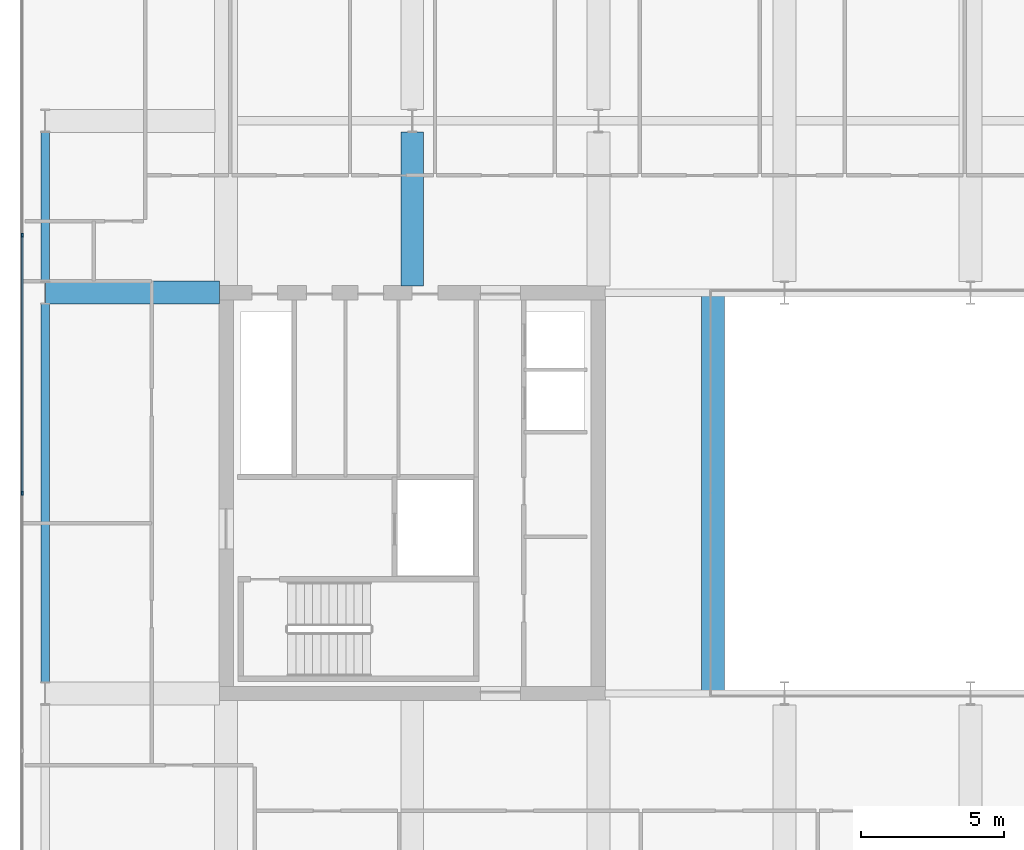
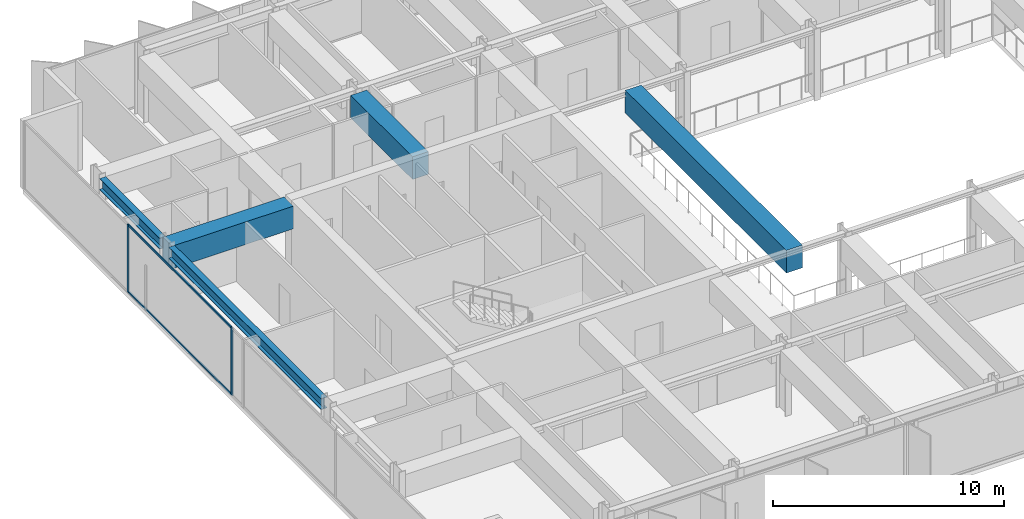
# One storey, part 5 of 24: 5 beams, 4 members, 1 element without a shape of its own.
"""IFC4 building model written with IfcOpenShell, lengths in metres."""

from ifc_helpers import new_model, si_unit, direction, frame, origin, origin_2d, place, context, subcontext, project, spatial, rectangle, i_section, extrude, material, layer, layer_set, material_profile, profile_set, type_object, element, aggregate, save


model = new_model("IFC4")

# Units and contexts
model_context = context("Model", 3, precision=1e-05, world=origin(), true_north=direction((0.0, 1.0)))
body_context = subcontext(model_context, "Body", "Model", "MODEL_VIEW")
ifc_project = project(units=[si_unit("LENGTHUNIT", "METRE"), si_unit("AREAUNIT", "SQUARE_METRE"), si_unit("VOLUMEUNIT", "CUBIC_METRE"), si_unit("PLANEANGLEUNIT", "RADIAN"), si_unit("MASSUNIT", "GRAM", prefix="KILO")], contexts=[model_context])

# Site, building, storey
site_placement = place(None, origin())
site = spatial("IfcSite", under=ifc_project, at=site_placement, CompositionType="ELEMENT")
building_placement = place(site_placement, origin())
building = spatial("IfcBuilding", under=site, at=building_placement, Name="Putna Gate Headquarters", CompositionType="ELEMENT")
storey_placement = place(building_placement, frame((0.0, 0.0, 251.800048828125)))
storey = spatial("IfcBuildingStorey", under=building, at=storey_placement, Name="L63", CompositionType="ELEMENT", Elevation=251.800048828125)

# Beams
ifc_material_1 = material(Name="Steel S355J2", Category="steel")
ifc_material_profile_1 = material_profile(ifc_material_1, i_section(OverallWidth=0.300048828125, OverallDepth=0.590087890625, WebThickness=0.012939453125, FlangeThickness=0.02490234375, at=origin_2d()), Name="Steel S355J2")
ifc_profile_set_1 = profile_set([ifc_material_profile_1], Name="Steel S355J2")
beam_type_1 = type_object("IfcBeamType", Name="BM-SPAN-Z4-HEA600", PredefinedType="SPANDREL", material=ifc_profile_set_1)
beam_1_placement = place(storey_placement, frame((6.679931640625, 19.39501953125, 3.29296875), z_axis=(0.0, 1.0, 0.0), x_axis=(-1.0, 0.0, 0.0)))
element("IfcBeam", 1, at=beam_1_placement, inside=storey, type_object=beam_type_1, Name="L63 W End Spandrel 2", PredefinedType="SPANDREL", context=body_context, shape_type="SweptSolid", body=[
    extrude(i_section(OverallWidth=0.300048828125, OverallDepth=0.590087890625, WebThickness=0.012939453125, FlangeThickness=0.02490234375, at=origin_2d()), origin(), (0.0, 0.0, 1.0), 13.2099609375),
])
beam_2_placement = place(storey_placement, frame((6.679931640625, 33.39501953125, 3.29296875), z_axis=(0.0, 1.0, 0.0), x_axis=(-1.0, 0.0, 0.0)))
element("IfcBeam", 2, at=beam_2_placement, inside=storey, type_object=beam_type_1, Name="L63 W End Spandrel 3", PredefinedType="SPANDREL", context=body_context, shape_type="SweptSolid", body=[
    extrude(i_section(OverallWidth=0.300048828125, OverallDepth=0.590087890625, WebThickness=0.012939453125, FlangeThickness=0.02490234375, at=origin_2d()), origin(), (0.0, 0.0, 1.0), 5.2099609375),
])
ifc_material_2 = material(Name="Concrete C50/60", Category="concrete")
ifc_material_profile_2 = material_profile(ifc_material_2, rectangle(XDim=0.800048828125, YDim=1.199951171875, at=origin_2d()), Name="Concrete C50/60")
ifc_profile_set_2 = profile_set([ifc_material_profile_2], Name="Concrete C50/60")
beam_type_2 = type_object("IfcBeamType", Name="BM-TG-RC1200", PredefinedType="USERDEFINED", material=ifc_profile_set_2)
beam_3_placement = place(storey_placement, frame((6.68603515625, 33.0, 2.988037109375), z_axis=(1.0, 0.0, 0.0), x_axis=(0.0, 1.0, 0.0)))
element("IfcBeam", 3, at=beam_3_placement, inside=storey, type_object=beam_type_2, Name="L63 West Wing Girder Y33", ObjectType="GIRDER", PredefinedType="USERDEFINED", context=body_context, shape_type="SweptSolid", body=[
    extrude(rectangle(XDim=0.800048828125, YDim=1.199951171875, at=origin_2d()), origin(), (0.0, 0.0, 1.0), 6.078857421875),
])
beam_4_placement = place(storey_placement, frame((19.5, 33.235107421875, 2.988037109375), z_axis=(0.0, 1.0, 0.0), x_axis=(-1.0, 0.0, 0.0)))
element("IfcBeam", 4, at=beam_4_placement, inside=storey, type_object=beam_type_2, Name="L63 North Primary Girder X19-1", ObjectType="GIRDER", PredefinedType="USERDEFINED", context=body_context, shape_type="SweptSolid", body=[
    extrude(rectangle(XDim=0.800048828125, YDim=1.199951171875, at=origin_2d()), origin(), (0.0, 0.0, 1.0), 5.369873046875),
])
beam_5_placement = place(storey_placement, frame((30.0, 19.010009765625, 2.988037109375), z_axis=(0.0, 1.0, 0.0), x_axis=(-1.0, 0.0, 0.0)))
element("IfcBeam", 5, at=beam_5_placement, inside=storey, type_object=beam_type_2, Name="L63 Atrium Trim Girder AW", ObjectType="GIRDER", PredefinedType="USERDEFINED", context=body_context, shape_type="SweptSolid", body=[
    extrude(rectangle(XDim=0.800048828125, YDim=1.199951171875, at=origin_2d()), origin(), (0.0, 0.0, 1.0), 13.97998046875),
])

# Curtain wall, members
ifc_material_3 = material(Name="Anodised bronze aluminium curtain wall", Category="aluminium")
ifc_layer = layer(ifc_material_3, 0.139892578125)
ifc_layer_set = layer_set([ifc_layer], Name="Anodised bronze aluminium curtain wall")
curtain_wall_type = type_object("IfcCurtainWallType", Name="CW-SYS-Z4", PredefinedType="USERDEFINED", material=ifc_layer_set)
curtain_wall_placement = place(storey_placement, origin())
curtain_wall = element("IfcCurtainWall", 6, at=curtain_wall_placement, inside=storey, type_object=curtain_wall_type, Name="L63 West Curtain Wall", ObjectType="STICK CURTAIN WALL", PredefinedType="USERDEFINED")
ifc_material_4 = material(Name="Anodised bronze aluminium EN AW-6060", Category="aluminium")
ifc_material_profile_3 = material_profile(ifc_material_4, rectangle(XDim=0.06005859375, YDim=0.139892578125, at=origin_2d()), Name="Anodised bronze aluminium EN AW-6060")
ifc_profile_set_3 = profile_set([ifc_material_profile_3], Name="Anodised bronze aluminium EN AW-6060")
member_type_1 = type_object("IfcMemberType", Name="MULL-CWM-4", PredefinedType="MULLION", material=ifc_profile_set_3)
member_1_placement = place(storey_placement, frame((5.8798828125, 26.0, 0.0), z_axis=(0.0, 0.0, 1.0), x_axis=(-1.0, 0.0, 0.0)))
member_1 = element("IfcMember", 7, at=member_1_placement, type_object=member_type_1, Name="CWS-4 mullion 3", PredefinedType="MULLION", context=body_context, shape_type="SweptSolid", body=[
    extrude(rectangle(XDim=0.06005859375, YDim=0.139892578125, at=origin_2d()), origin(), (0.0, 0.0, 1.0), 3.587890625),
])
member_2_placement = place(storey_placement, frame((5.8798828125, 35.0, 0.0), z_axis=(0.0, 0.0, 1.0), x_axis=(-1.0, 0.0, 0.0)))
member_2 = element("IfcMember", 8, at=member_2_placement, type_object=member_type_1, Name="CWS-4 mullion 4", PredefinedType="MULLION", context=body_context, shape_type="SweptSolid", body=[
    extrude(rectangle(XDim=0.06005859375, YDim=0.139892578125, at=origin_2d()), origin(), (0.0, 0.0, 1.0), 3.587890625),
])
ifc_material_profile_4 = material_profile(ifc_material_4, rectangle(XDim=0.06005859375, YDim=0.10009765625, at=origin_2d()), Name="Anodised bronze aluminium EN AW-6060")
ifc_profile_set_4 = profile_set([ifc_material_profile_4], Name="Anodised bronze aluminium EN AW-6060")
member_type_2 = type_object("IfcMemberType", Name="TRAN-CWT-4", PredefinedType="USERDEFINED", material=ifc_profile_set_4)
member_3_placement = place(storey_placement, frame((5.8798828125, 26.030029296875, 0.030029296875), z_axis=(0.0, 1.0, 0.0), x_axis=(-1.0, 0.0, 0.0)))
member_3 = element("IfcMember", 9, at=member_3_placement, type_object=member_type_2, Name="CWS-4 transom 3.1", ObjectType="TRANSOM", PredefinedType="USERDEFINED", context=body_context, shape_type="SweptSolid", body=[
    extrude(rectangle(XDim=0.06005859375, YDim=0.10009765625, at=origin_2d()), origin(), (0.0, 0.0, 1.0), 8.93994140625),
])
member_4_placement = place(storey_placement, frame((5.8798828125, 26.030029296875, 3.557861328125), z_axis=(0.0, 1.0, 0.0), x_axis=(-1.0, 0.0, 0.0)))
member_4 = element("IfcMember", 10, at=member_4_placement, type_object=member_type_2, Name="CWS-4 transom 3.2", ObjectType="TRANSOM", PredefinedType="USERDEFINED", context=body_context, shape_type="SweptSolid", body=[
    extrude(rectangle(XDim=0.06005859375, YDim=0.10009765625, at=origin_2d()), origin(), (0.0, 0.0, 1.0), 8.93994140625),
])
aggregate(curtain_wall, [member_1, member_2, member_3, member_4])

save(model, "model.ifc")
